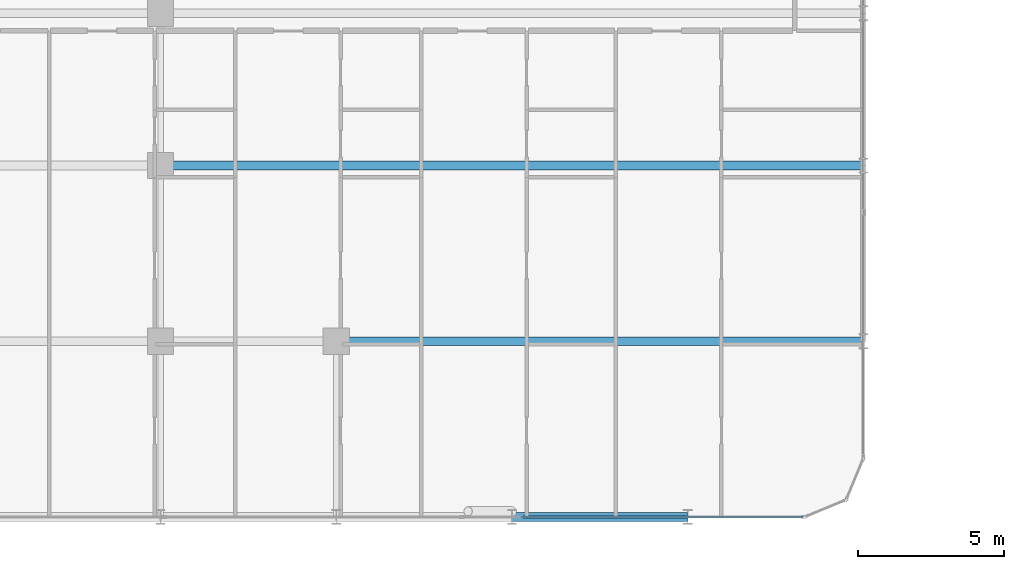
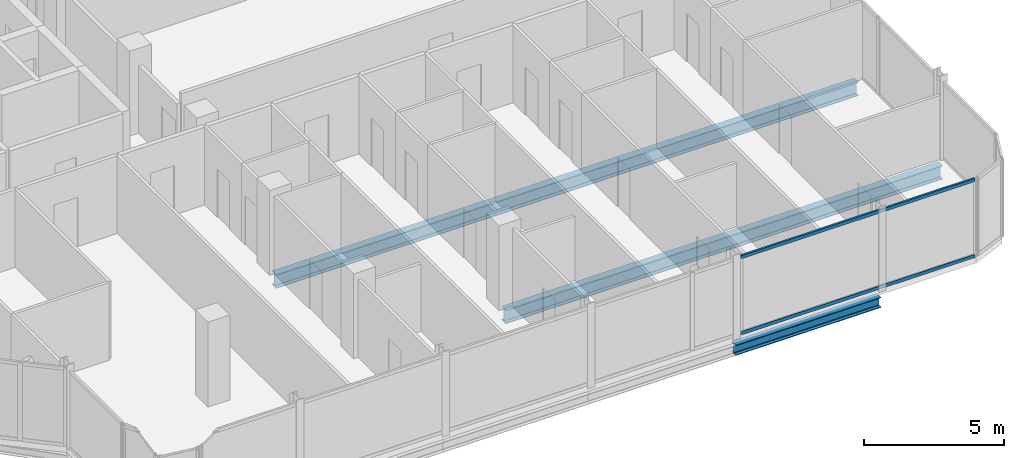
# One storey, part 10 of 32: 3 beams, 2 members, 1 element without a shape of its own.
"""IFC4 building model written with IfcOpenShell, lengths in metres."""

from ifc_helpers import new_model, si_unit, direction, frame, origin, origin_2d, place, context, subcontext, project, spatial, hollow_rectangle, i_section, extrude, material, layer, layer_set, material_profile, profile_set, type_object, element, aggregate, save


model = new_model("IFC4")

# Units and contexts
model_context = context("Model", 3, precision=1e-05, world=origin(), true_north=direction((0.0, 1.0)))
body_context = subcontext(model_context, "Body", "Model", "MODEL_VIEW")
ifc_project = project(units=[si_unit("LENGTHUNIT", "METRE"), si_unit("AREAUNIT", "SQUARE_METRE"), si_unit("VOLUMEUNIT", "CUBIC_METRE"), si_unit("PLANEANGLEUNIT", "RADIAN"), si_unit("MASSUNIT", "GRAM", prefix="KILO")], contexts=[model_context])

# Site, building, storey
site_placement = place(None, origin())
site = spatial("IfcSite", under=ifc_project, at=site_placement, CompositionType="ELEMENT")
building_placement = place(site_placement, origin())
building = spatial("IfcBuilding", under=site, at=building_placement, Name="Keshet Zoharim Tower", CompositionType="ELEMENT")
storey_placement = place(building_placement, frame((0.0, 0.0, 152.0)))
storey = spatial("IfcBuildingStorey", under=building, at=storey_placement, Name="L37", CompositionType="ELEMENT", Elevation=152.0)

# Beams
ifc_material_1 = material(Name="Steel S355", Category="steel")
ifc_material_profile_1 = material_profile(ifc_material_1, i_section(OverallWidth=0.300048828125, OverallDepth=0.60009765625, WebThickness=0.015380859375, FlangeThickness=0.030029296875, FilletRadius=0.027099609375, at=origin_2d()), Name="HEB600")
ifc_profile_set_1 = profile_set([ifc_material_profile_1], Name="Steel S355")
beam_type_1 = type_object("IfcBeamType", Name="BM-LNG-HB600", PredefinedType="BEAM", material=ifc_profile_set_1)
beam_1_placement = place(storey_placement, frame((39.0, 6.699951171875, -0.614990234375), z_axis=(1.0, 0.0, 0.0), x_axis=(0.0, 1.0, 0.0)))
element("IfcBeam", 1, at=beam_1_placement, inside=storey, type_object=beam_type_1, Name="L37 Primary Girder X-008", PredefinedType="BEAM", context=body_context, shape_type="SweptSolid", body=[
    extrude(i_section(OverallWidth=0.300048828125, OverallDepth=0.60009765625, WebThickness=0.015380859375, FlangeThickness=0.030029296875, FilletRadius=0.027099609375, at=origin_2d()), origin(), (0.0, 0.0, 1.0), 18.0),
])
beam_2_placement = place(storey_placement, frame((33.0, 12.699951171875, -0.614990234375), z_axis=(1.0, 0.0, 0.0), x_axis=(0.0, 1.0, 0.0)))
element("IfcBeam", 2, at=beam_2_placement, inside=storey, type_object=beam_type_1, Name="L37 Primary Girder X-010", PredefinedType="BEAM", context=body_context, shape_type="SweptSolid", body=[
    extrude(i_section(OverallWidth=0.300048828125, OverallDepth=0.60009765625, WebThickness=0.015380859375, FlangeThickness=0.030029296875, FilletRadius=0.027099609375, at=origin_2d()), origin(), (0.0, 0.0, 1.0), 24.0),
])
ifc_material_profile_2 = material_profile(ifc_material_1, i_section(OverallWidth=0.300048828125, OverallDepth=0.449951171875, WebThickness=0.013916015625, FlangeThickness=0.02587890625, FilletRadius=0.027099609375, at=origin_2d()), Name="HEB450")
ifc_profile_set_2 = profile_set([ifc_material_profile_2], Name="Steel S355")
beam_type_2 = type_object("IfcBeamType", Name="BM-WEB-HB450", PredefinedType="BEAM", material=ifc_profile_set_2)
beam_3_placement = place(storey_placement, frame((45.0, 0.699951171875, -0.5400390625), z_axis=(1.0, 0.0, 0.0), x_axis=(0.0, 1.0, 0.0)))
element("IfcBeam", 3, at=beam_3_placement, inside=storey, type_object=beam_type_2, Name="L37 Primary Girder X-004", PredefinedType="BEAM", context=body_context, shape_type="SweptSolid", body=[
    extrude(i_section(OverallWidth=0.300048828125, OverallDepth=0.449951171875, WebThickness=0.013916015625, FlangeThickness=0.02587890625, FilletRadius=0.027099609375, at=origin_2d()), origin(), (0.0, 0.0, 1.0), 6.0),
])

# Curtain wall, members
ifc_material_2 = material(Name="Aluminium 6063-T6", Category="aluminium")
ifc_layer = layer(ifc_material_2, 0.159912109375)
ifc_layer_set = layer_set([ifc_layer], Name="Aluminium 6063-T6")
curtain_wall_type = type_object("IfcCurtainWallType", Name="CW-SYS-03", PredefinedType="NOTDEFINED", material=ifc_layer_set)
curtain_wall_placement = place(storey_placement, origin())
curtain_wall = element("IfcCurtainWall", 4, at=curtain_wall_placement, inside=storey, type_object=curtain_wall_type, Name="L37 Unitised Curtain Wall 03", PredefinedType="NOTDEFINED")
ifc_material_profile_3 = material_profile(ifc_material_2, hollow_rectangle(XDim=0.080078125, YDim=0.139892578125, WallThickness=0.00390625, at=origin_2d()), Name="TRN-80x140")
ifc_profile_set_3 = profile_set([ifc_material_profile_3], Name="Aluminium 6063-T6")
member_type = type_object("IfcMemberType", Name="CWT-T14", PredefinedType="USERDEFINED", material=ifc_profile_set_3)
member_1_placement = place(storey_placement, frame((54.929931640625, 0.699951171875, 0.034912109375), z_axis=(-1.0, 0.0, 0.0), x_axis=(0.0, -1.0, 0.0)))
member_1 = element("IfcMember", 5, at=member_1_placement, type_object=member_type, Name="CW-03 transom 1.1", ObjectType="TRANSOM", PredefinedType="USERDEFINED", context=body_context, shape_type="SweptSolid", body=[
    extrude(hollow_rectangle(XDim=0.080078125, YDim=0.139892578125, WallThickness=0.00390625, at=origin_2d()), origin(), (0.0, 0.0, 1.0), 9.61181640625),
])
member_2_placement = place(storey_placement, frame((54.929931640625, 0.699951171875, 3.35009765625), z_axis=(-1.0, 0.0, 0.0), x_axis=(0.0, -1.0, 0.0)))
member_2 = element("IfcMember", 6, at=member_2_placement, type_object=member_type, Name="CW-03 transom 1.2", ObjectType="TRANSOM", PredefinedType="USERDEFINED", context=body_context, shape_type="SweptSolid", body=[
    extrude(hollow_rectangle(XDim=0.080078125, YDim=0.139892578125, WallThickness=0.00390625, at=origin_2d()), origin(), (0.0, 0.0, 1.0), 9.61181640625),
])
aggregate(curtain_wall, [member_1, member_2])

save(model, "model.ifc")
